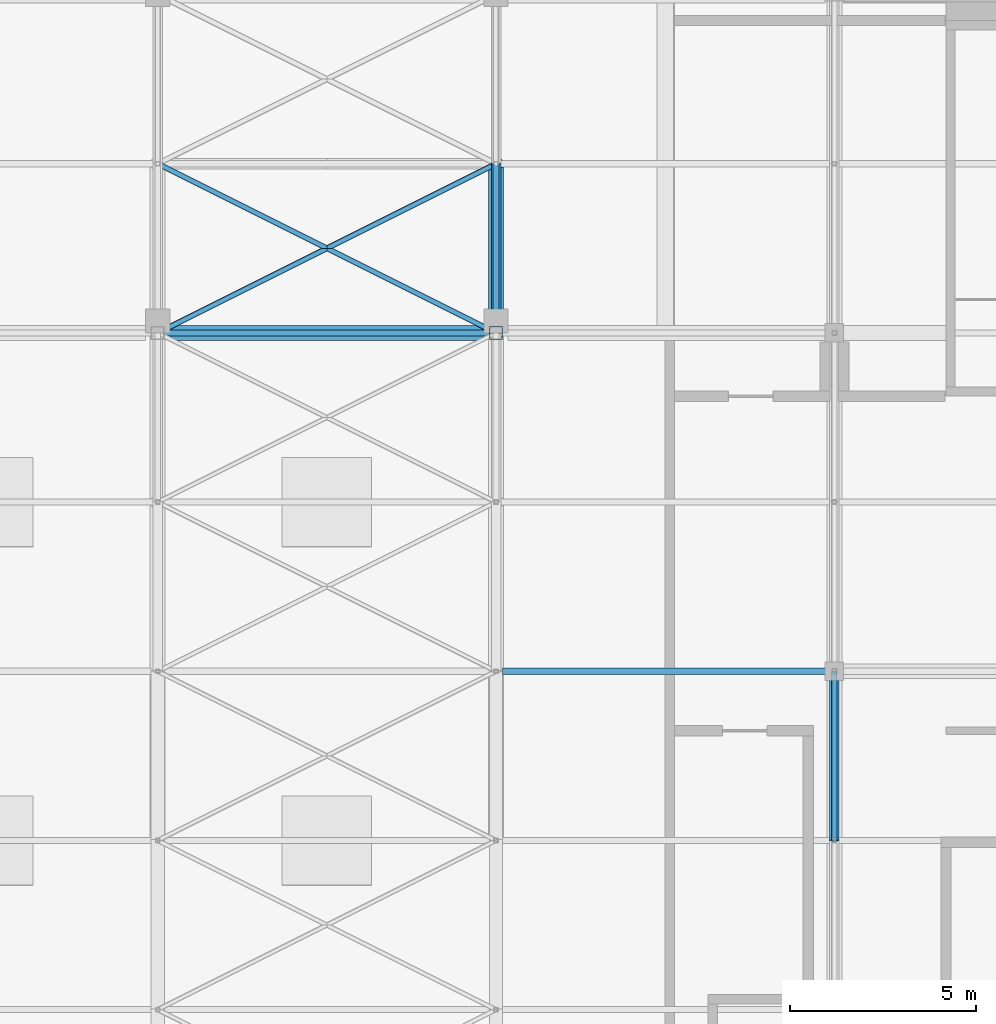
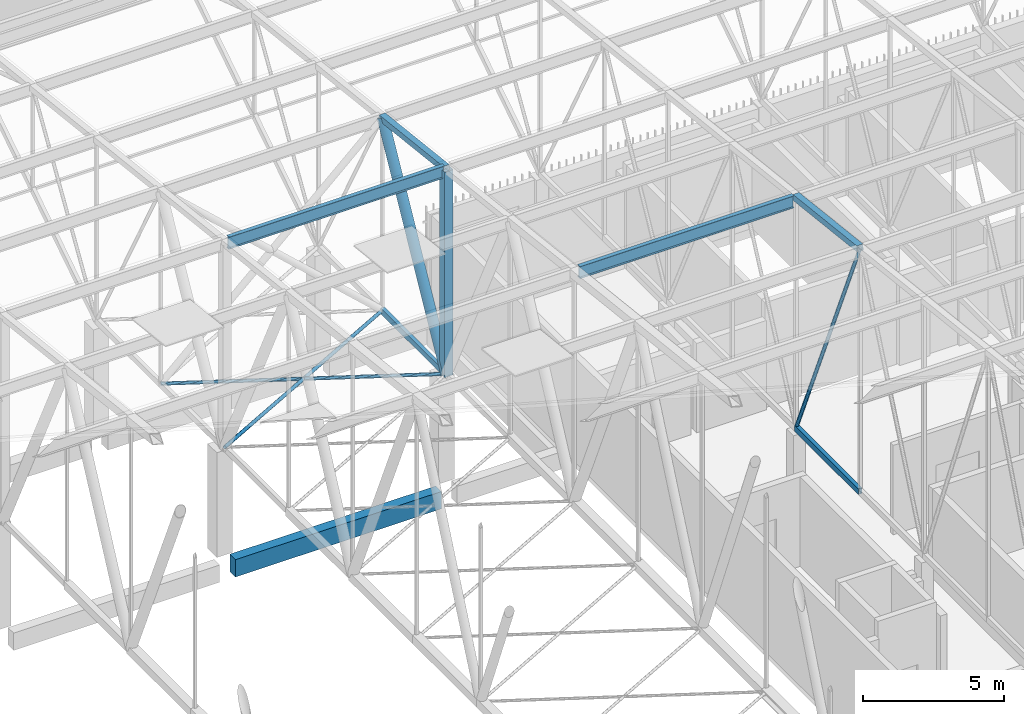
# One storey, part 313 of 500: 11 members, 1 beam.
"""IFC4 building model written with IfcOpenShell, lengths in metres."""

from ifc_helpers import new_model, si_unit, direction, frame, origin, origin_2d, place, context, subcontext, project, spatial, rectangle, hollow_rectangle, hollow_circle, i_section, extrude, material, material_profile, profile_set, type_object, element, save


model = new_model("IFC4")

# Units and contexts
model_context = context("Model", 3, precision=1e-05, world=origin(), true_north=direction((0.0, 1.0)))
body_context = subcontext(model_context, "Body", "Model", "MODEL_VIEW")
ifc_project = project(units=[si_unit("LENGTHUNIT", "METRE"), si_unit("AREAUNIT", "SQUARE_METRE"), si_unit("VOLUMEUNIT", "CUBIC_METRE"), si_unit("PLANEANGLEUNIT", "RADIAN"), si_unit("MASSUNIT", "GRAM", prefix="KILO")], contexts=[model_context])

# Site, building, storey
site_placement = place(None, origin())
site = spatial("IfcSite", under=ifc_project, at=site_placement, CompositionType="ELEMENT")
building_placement = place(site_placement, origin())
building = spatial("IfcBuilding", under=site, at=building_placement, Name="Shirokan Park Arena", CompositionType="ELEMENT")
storey_placement = place(building_placement, frame((0.0, 0.0, 29.1201171875)))
storey = spatial("IfcBuildingStorey", under=building, at=storey_placement, Name="L06", CompositionType="ELEMENT", Elevation=29.1201171875)

# Members
ifc_material_1 = material(Name="Steel ASTM A500 Grade C", Category="steel")
ifc_material_profile_1 = material_profile(ifc_material_1, hollow_rectangle(XDim=0.152099609375, YDim=0.25390625, WallThickness=0.009521484375, at=origin_2d()), Name="HSS254X152.4X9.5")
ifc_profile_set_1 = profile_set([ifc_material_profile_1], Name="Steel ASTM A500 Grade C")
member_type_1 = type_object("IfcMemberType", Name="Bottom chord HSS254X152.4X9.5", PredefinedType="CHORD", material=ifc_profile_set_1)
member_1_placement = place(storey_placement, frame((100.10009765625, 100.10009765625, 4.677001953125), z_axis=(0.0, 1.0, 0.0), x_axis=(-1.0, 0.0, 0.0)))
element("IfcMember", 1, at=member_1_placement, inside=storey, type_object=member_type_1, Name="Truss T12 bottom chord 25", PredefinedType="CHORD", context=body_context, shape_type="SweptSolid", body=[
    extrude(hollow_rectangle(XDim=0.152099609375, YDim=0.25390625, WallThickness=0.009521484375, at=origin_2d()), origin(), (0.0, 0.0, 1.0), 4.5498046875),
])
member_2_placement = place(storey_placement, frame((109.199951171875, 86.449951171875, 4.677001953125), z_axis=(0.0, 1.0, 0.0), x_axis=(-1.0, 0.0, 0.0)))
element("IfcMember", 2, at=member_2_placement, inside=storey, type_object=member_type_1, Name="Truss T13 bottom chord 22", PredefinedType="CHORD", context=body_context, shape_type="SweptSolid", body=[
    extrude(hollow_rectangle(XDim=0.152099609375, YDim=0.25390625, WallThickness=0.009521484375, at=origin_2d()), origin(), (0.0, 0.0, 1.0), 4.550048828125),
])
ifc_material_profile_2 = material_profile(ifc_material_1, hollow_circle(Radius=0.070556640625, WallThickness=0.009521484375, at=origin_2d()), Name="HSS141.3X9.5")
ifc_profile_set_2 = profile_set([ifc_material_profile_2], Name="Steel ASTM A500 Grade C")
member_type_2 = type_object("IfcMemberType", Name="Plan bracing HSS141.3X9.5", PredefinedType="BRACE", material=ifc_profile_set_2)
for number, where, z_axis, x_axis, name in (
    (3, (91.0, 100.10009765625, 4.677001953125), (0.8944367893, 0.447194398385, 0.0), (-0.447194398385, 0.8944367893, 0.0), "Plan bracing bay 11 panel 25 A"),
    (4, (100.10009765625, 100.10009765625, 4.677001953125), (-0.8944367893, 0.447194398385, 0.0), (-0.447194398385, -0.8944367893, 0.0), "Plan bracing bay 11 panel 25 B"),
):
    element("IfcMember", number, at=place(storey_placement, frame(where, z_axis=z_axis, x_axis=x_axis)), inside=storey, type_object=member_type_2, Name=name, PredefinedType="BRACE", context=body_context, shape_type="SweptSolid", body=[
        extrude(hollow_circle(Radius=0.070556640625, WallThickness=0.009521484375, at=origin_2d()), origin(), (0.0, 0.0, 1.0), 10.174072265625),
    ])
ifc_material_2 = material(Name="Steel ASTM A992", Category="steel")
ifc_material_profile_3 = material_profile(ifc_material_2, i_section(OverallWidth=0.166015625, OverallDepth=0.528076171875, WebThickness=0.009765625, FlangeThickness=0.013671875, at=origin_2d()), Name="W530X74")
ifc_profile_set_3 = profile_set([ifc_material_profile_3], Name="Steel ASTM A992")
member_type_3 = type_object("IfcMemberType", Name="Purlin W530X74", PredefinedType="PURLIN", material=ifc_profile_set_3)
member_3_placement = place(storey_placement, frame((100.278076171875, 91.0, 14.56591796875), z_axis=(1.0, 0.0, 0.0), x_axis=(0.0, 1.0, 0.0)))
element("IfcMember", 5, at=member_3_placement, inside=storey, type_object=member_type_3, Name="Purlin 23 bay 12", PredefinedType="PURLIN", context=body_context, shape_type="SweptSolid", body=[
    extrude(i_section(OverallWidth=0.166015625, OverallDepth=0.528076171875, WebThickness=0.009765625, FlangeThickness=0.013671875, at=origin_2d()), origin(), (0.0, 0.0, 1.0), 8.794921875),
])
member_4_placement = place(storey_placement, frame((91.126953125, 100.10009765625, 13.52587890625), z_axis=(1.0, 0.0, 0.0), x_axis=(0.0, 1.0, 0.0)))
element("IfcMember", 6, at=member_4_placement, inside=storey, type_object=member_type_3, Name="Purlin 25 bay 11", PredefinedType="PURLIN", context=body_context, shape_type="SweptSolid", body=[
    extrude(i_section(OverallWidth=0.166015625, OverallDepth=0.528076171875, WebThickness=0.009765625, FlangeThickness=0.013671875, at=origin_2d()), origin(), (0.0, 0.0, 1.0), 8.845947265625),
])

# Beam
ifc_material_3 = material(Name="Concrete C35", Category="concrete")
ifc_material_profile_4 = material_profile(ifc_material_3, rectangle(XDim=0.39990234375, YDim=0.75, at=origin_2d()), Name="400x750")
ifc_profile_set_4 = profile_set([ifc_material_profile_4], Name="Concrete C35")
beam_type = type_object("IfcBeamType", Name="RC girder 400x750", PredefinedType="BEAM", material=ifc_profile_set_4)
beam_placement = place(storey_placement, frame((91.3251953125, 100.10009765625, -0.5751953125), z_axis=(1.0, 0.0, 0.0), x_axis=(0.0, 1.0, 0.0)))
element("IfcBeam", 7, at=beam_placement, inside=storey, type_object=beam_type, Name="Girder 11M-12M L06", PredefinedType="BEAM", context=body_context, shape_type="SweptSolid", body=[
    extrude(rectangle(XDim=0.39990234375, YDim=0.75, at=origin_2d()), origin(), (0.0, 0.0, 1.0), 8.44970703125),
])

# Members
ifc_material_profile_5 = material_profile(ifc_material_1, hollow_rectangle(XDim=0.25390625, YDim=0.25390625, WallThickness=0.009521484375, at=origin_2d()), Name="HSS254X254X9.5")
ifc_profile_set_5 = profile_set([ifc_material_profile_5], Name="Steel ASTM A500 Grade C")
member_type_4 = type_object("IfcMemberType", Name="Top chord HSS254X254X9.5", PredefinedType="CHORD", material=ifc_profile_set_5)
member_5_placement = place(storey_placement, frame((100.10009765625, 100.10009765625, 13.581298828125), z_axis=(0.0, 0.993531641592, -0.11355561261), x_axis=(-1.0, 0.0, 0.0)))
element("IfcMember", 8, at=member_5_placement, inside=storey, type_object=member_type_4, Name="Truss T12 top chord 25", PredefinedType="CHORD", context=body_context, shape_type="SweptSolid", body=[
    extrude(hollow_rectangle(XDim=0.25390625, YDim=0.25390625, WallThickness=0.009521484375, at=origin_2d()), origin(), (0.0, 0.0, 1.0), 4.579345703125),
])
member_6_placement = place(storey_placement, frame((109.199951171875, 86.449951171875, 15.222900390625), z_axis=(0.0, 0.993532328996, -0.113549598152), x_axis=(-1.0, 0.0, 0.0)))
element("IfcMember", 9, at=member_6_placement, inside=storey, type_object=member_type_4, Name="Truss T13 top chord 22", PredefinedType="CHORD", context=body_context, shape_type="SweptSolid", body=[
    extrude(hollow_rectangle(XDim=0.25390625, YDim=0.25390625, WallThickness=0.009521484375, at=origin_2d()), origin(), (0.0, 0.0, 1.0), 4.57958984375),
])
ifc_material_profile_6 = material_profile(ifc_material_1, hollow_circle(Radius=0.070556640625, WallThickness=0.006591796875, at=origin_2d()), Name="HSS141.3X6.6")
ifc_profile_set_6 = profile_set([ifc_material_profile_6], Name="Steel ASTM A500 Grade C")
member_type_5 = type_object("IfcMemberType", Name="Truss diagonal HSS141.3X6.6", PredefinedType="BRACE", material=ifc_profile_set_6)
member_7_placement = place(storey_placement, frame((109.199951171875, 86.449951171875, 15.222900390625), z_axis=(0.0, 0.396152605513, -0.918184683572), x_axis=(-1.0, 0.0, 0.0)))
element("IfcMember", 10, at=member_7_placement, inside=storey, type_object=member_type_5, Name="Truss T13 diagonal 22", PredefinedType="BRACE", context=body_context, shape_type="SweptSolid", body=[
    extrude(hollow_circle(Radius=0.070556640625, WallThickness=0.006591796875, at=origin_2d()), origin(), (0.0, 0.0, 1.0), 11.485595703125),
])
ifc_material_profile_7 = material_profile(ifc_material_1, hollow_circle(Radius=0.202880859375, WallThickness=0.015869140625, at=origin_2d()), Name="HSS406.4X15.9")
ifc_profile_set_7 = profile_set([ifc_material_profile_7], Name="Steel ASTM A500 Grade C")
member_type_6 = type_object("IfcMemberType", Name="Truss diagonal HSS406.4X15.9", PredefinedType="BRACE", material=ifc_profile_set_7)
member_8_placement = place(storey_placement, frame((100.10009765625, 100.10009765625, 4.677001953125), z_axis=(0.0, 0.476957435823, 0.878926393058), x_axis=(-1.0, 0.0, 0.0)))
element("IfcMember", 11, at=member_8_placement, inside=storey, type_object=member_type_6, Name="Truss T12 diagonal 25", PredefinedType="BRACE", context=body_context, shape_type="SweptSolid", body=[
    extrude(hollow_circle(Radius=0.202880859375, WallThickness=0.015869140625, at=origin_2d()), origin(), (0.0, 0.0, 1.0), 9.539306640625),
])
ifc_material_profile_8 = material_profile(ifc_material_1, hollow_rectangle(XDim=0.35595703125, YDim=0.35595703125, WallThickness=0.015869140625, at=origin_2d()), Name="HSS355.6X355.6X15.9")
ifc_profile_set_8 = profile_set([ifc_material_profile_8], Name="Steel ASTM A500 Grade C")
member_type_7 = type_object("IfcMemberType", Name="Truss post HSS355.6X355.6X15.9", PredefinedType="POST", material=ifc_profile_set_8)
member_9_placement = place(storey_placement, frame((100.10009765625, 100.10009765625, 4.677001953125), z_axis=(0.0, 0.0, 1.0), x_axis=(1.0, 0.0, 0.0)))
element("IfcMember", 12, at=member_9_placement, inside=storey, type_object=member_type_7, Name="Truss T12 post 25", PredefinedType="POST", context=body_context, shape_type="SweptSolid", body=[
    extrude(hollow_rectangle(XDim=0.35595703125, YDim=0.35595703125, WallThickness=0.015869140625, at=origin_2d()), origin(), (0.0, 0.0, 1.0), 8.904296875),
])

save(model, "model.ifc")
